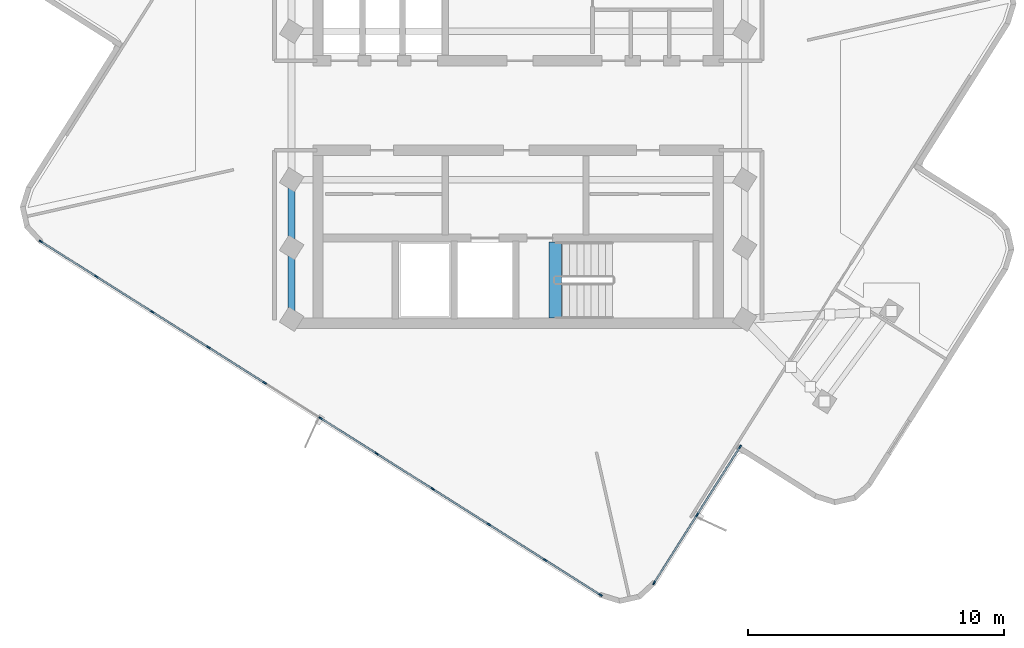
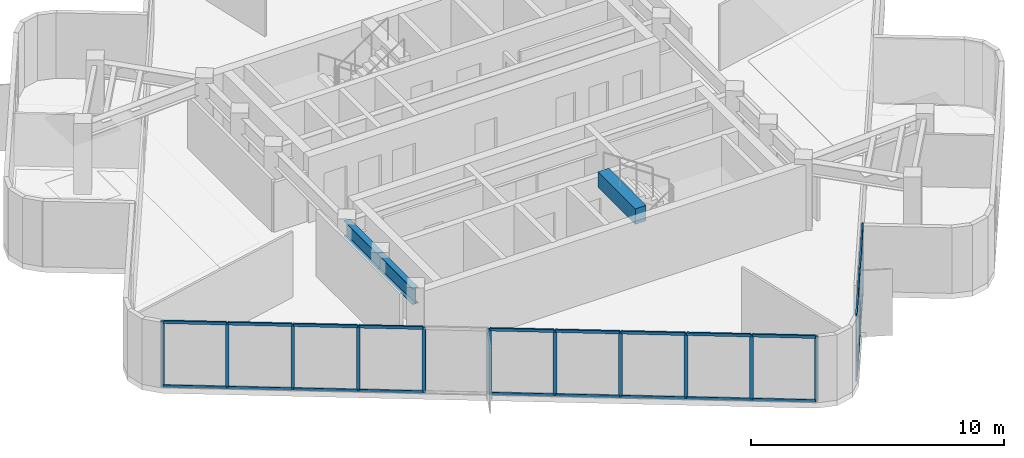
# One storey, part 2 of 8: 36 members, 3 beams, 2 elements without a shape of their own.
"""IFC4 building model written with IfcOpenShell, lengths in metres."""

from ifc_helpers import new_model, si_unit, direction, frame, origin, origin_2d, place, context, subcontext, project, spatial, rectangle, i_section, extrude, material, layer, layer_set, material_profile, profile_set, type_object, element, aggregate, save


model = new_model("IFC4")

# Units and contexts
model_context = context("Model", 3, precision=1e-05, world=origin(), true_north=direction((0.0, 1.0)))
body_context = subcontext(model_context, "Body", "Model", "MODEL_VIEW")
ifc_project = project(units=[si_unit("LENGTHUNIT", "METRE"), si_unit("AREAUNIT", "SQUARE_METRE"), si_unit("VOLUMEUNIT", "CUBIC_METRE"), si_unit("PLANEANGLEUNIT", "RADIAN"), si_unit("MASSUNIT", "GRAM", prefix="KILO")], contexts=[model_context])

# Site, building, storey
site_placement = place(None, origin())
site = spatial("IfcSite", under=ifc_project, at=site_placement, CompositionType="ELEMENT")
building_placement = place(site_placement, origin())
building = spatial("IfcBuilding", under=site, at=building_placement, Name="Solmarez Civic Tower", CompositionType="ELEMENT")
storey_placement = place(building_placement, frame((0.0, 0.0, 271.43994140625)))
storey = spatial("IfcBuildingStorey", under=building, at=storey_placement, Name="L73", CompositionType="ELEMENT", Elevation=271.43994140625)

# Beams
ifc_material_1 = material(Name="Concrete C50/60", Category="concrete")
ifc_material_profile_1 = material_profile(ifc_material_1, rectangle(XDim=0.5, YDim=0.75, at=origin_2d()), Name="RC500X750")
ifc_profile_set_1 = profile_set([ifc_material_profile_1], Name="Concrete C50/60")
beam_type_1 = type_object("IfcBeamType", Name="BM-PR-RC500X750", PredefinedType="BEAM", material=ifc_profile_set_1)
beam_1_placement = place(storey_placement, frame((1.449951171875, -8.300048828125, 3.052978515625), z_axis=(0.0, 1.0, 0.0), x_axis=(-1.0, 0.0, 0.0)))
element("IfcBeam", 1, at=beam_1_placement, inside=storey, type_object=beam_type_1, Name="L73 South Stair Threshold Beam", PredefinedType="BEAM", context=body_context, shape_type="SweptSolid", body=[
    extrude(rectangle(XDim=0.5, YDim=0.75, at=origin_2d()), origin(), (0.0, 0.0, 1.0), 2.9599609375),
])
ifc_material_2 = material(Name="Steel S355", Category="steel")
ifc_material_profile_2 = material_profile(ifc_material_2, i_section(OverallWidth=0.26708984375, OverallDepth=0.761962890625, WebThickness=0.014404296875, FlangeThickness=0.021484375, at=origin_2d()), Name="W30X116")
ifc_profile_set_2 = profile_set([ifc_material_profile_2], Name="Steel S355")
beam_type_2 = type_object("IfcBeamType", Name="BM-PR-W30X116", PredefinedType="BEAM", material=ifc_profile_set_2)
beam_2_placement = place(storey_placement, frame((-8.85009765625, -8.35009765625, 2.779052734375), z_axis=(0.0, 1.0, 0.0), x_axis=(-1.0, 0.0, 0.0)))
element("IfcBeam", 2, at=beam_2_placement, inside=storey, type_object=beam_type_2, Name="L73 Primary Floor Beam BM-L73-HC12-HC1", PredefinedType="BEAM", context=body_context, shape_type="SweptSolid", body=[
    extrude(i_section(OverallWidth=0.26708984375, OverallDepth=0.761962890625, WebThickness=0.014404296875, FlangeThickness=0.021484375, at=origin_2d()), origin(), (0.0, 0.0, 1.0), 2.800048828125),
])
beam_3_placement = place(storey_placement, frame((-8.85009765625, -5.550048828125, 2.779052734375), z_axis=(0.0, 1.0, 0.0), x_axis=(-1.0, 0.0, 0.0)))
element("IfcBeam", 3, at=beam_3_placement, inside=storey, type_object=beam_type_2, Name="L73 Primary Floor Beam BM-L73-HC1-HC2", PredefinedType="BEAM", context=body_context, shape_type="SweptSolid", body=[
    extrude(i_section(OverallWidth=0.26708984375, OverallDepth=0.761962890625, WebThickness=0.014404296875, FlangeThickness=0.021484375, at=origin_2d()), origin(), (0.0, 0.0, 1.0), 2.650146484375),
])

# Curtain wall, members
ifc_material_3 = material(Name="Bronze Anodised Aluminium EN AW-6063 T6", Category="aluminium")
ifc_layer = layer(ifc_material_3, 0.1650390625)
ifc_layer_set = layer_set([ifc_layer], Name="Bronze Anodised Aluminium EN AW-6063 T6")
curtain_wall_type = type_object("IfcCurtainWallType", Name="CW-SYS-4", PredefinedType="NOTDEFINED", material=ifc_layer_set)
curtain_wall_1_placement = place(storey_placement, origin())
curtain_wall_1 = element("IfcCurtainWall", 4, at=curtain_wall_1_placement, inside=storey, type_object=curtain_wall_type, Name="L73 Stick-Built Curtain Wall 1", PredefinedType="NOTDEFINED")
ifc_material_profile_3 = material_profile(ifc_material_3, rectangle(XDim=0.06005859375, YDim=0.14990234375, at=origin_2d()), Name="CWM-60X150")
ifc_profile_set_3 = profile_set([ifc_material_profile_3], Name="Bronze Anodised Aluminium EN AW-6063 T6")
member_type_1 = type_object("IfcMemberType", Name="CWM-TYPE-4", PredefinedType="MULLION", material=ifc_profile_set_3)
member_1_placement = place(storey_placement, frame((8.6650390625, -13.33935546875, 0.0), z_axis=(0.0, 0.0, 1.0), x_axis=(0.845526371515, -0.533933661678, 0.0)))
member_1 = element("IfcMember", 5, at=member_1_placement, type_object=member_type_1, Name="CWS4 mullion 1", PredefinedType="MULLION", context=body_context, shape_type="SweptSolid", body=[
    extrude(rectangle(XDim=0.06005859375, YDim=0.14990234375, at=origin_2d()), origin(), (0.0, 0.0, 1.0), 3.16015625),
])
member_2_placement = place(storey_placement, frame((6.988037109375, -15.9951171875, 0.0), z_axis=(0.0, 0.0, 1.0), x_axis=(0.845526371515, -0.533933661678, 0.0)))
member_2 = element("IfcMember", 6, at=member_2_placement, type_object=member_type_1, Name="CWS4 mullion 2", PredefinedType="MULLION", context=body_context, shape_type="SweptSolid", body=[
    extrude(rectangle(XDim=0.06005859375, YDim=0.14990234375, at=origin_2d()), origin(), (0.0, 0.0, 1.0), 3.16015625),
])
member_3_placement = place(storey_placement, frame((5.31103515625, -18.650634765625, 0.0), z_axis=(0.0, 0.0, 1.0), x_axis=(0.845526371515, -0.533933661678, 0.0)))
member_3 = element("IfcMember", 7, at=member_3_placement, type_object=member_type_1, Name="CWS4 mullion 3", PredefinedType="MULLION", context=body_context, shape_type="SweptSolid", body=[
    extrude(rectangle(XDim=0.06005859375, YDim=0.14990234375, at=origin_2d()), origin(), (0.0, 0.0, 1.0), 3.16015625),
])

curtain_wall_2_placement = place(storey_placement, origin())
curtain_wall_2 = element("IfcCurtainWall", 8, at=curtain_wall_2_placement, inside=storey, type_object=curtain_wall_type, Name="L73 Stick-Built Curtain Wall 2", PredefinedType="NOTDEFINED")
member_4_placement = place(storey_placement, frame((3.215576171875, -19.123046875, 0.0), z_axis=(0.0, 0.0, 1.0), x_axis=(-0.53403943397, -0.845459569089, 0.0)))
member_4 = element("IfcMember", 9, at=member_4_placement, type_object=member_type_1, Name="CWS4 mullion 1", PredefinedType="MULLION", context=body_context, shape_type="SweptSolid", body=[
    extrude(rectangle(XDim=0.06005859375, YDim=0.14990234375, at=origin_2d()), origin(), (0.0, 0.0, 1.0), 3.16015625),
])
member_5_placement = place(storey_placement, frame((1.04931640625, -17.754638671875, 0.0), z_axis=(0.0, 0.0, 1.0), x_axis=(-0.53403943397, -0.845459569089, 0.0)))
member_5 = element("IfcMember", 10, at=member_5_placement, type_object=member_type_1, Name="CWS4 mullion 2", PredefinedType="MULLION", context=body_context, shape_type="SweptSolid", body=[
    extrude(rectangle(XDim=0.06005859375, YDim=0.14990234375, at=origin_2d()), origin(), (0.0, 0.0, 1.0), 3.16015625),
])
member_6_placement = place(storey_placement, frame((-1.142333984375, -16.3701171875, 0.0), z_axis=(0.0, 0.0, 1.0), x_axis=(-0.53403943397, -0.845459569089, 0.0)))
member_6 = element("IfcMember", 11, at=member_6_placement, type_object=member_type_1, Name="CWS4 mullion 3", PredefinedType="MULLION", context=body_context, shape_type="SweptSolid", body=[
    extrude(rectangle(XDim=0.06005859375, YDim=0.14990234375, at=origin_2d()), origin(), (0.0, 0.0, 1.0), 3.16015625),
])
member_7_placement = place(storey_placement, frame((-3.333984375, -14.98583984375, 0.0), z_axis=(0.0, 0.0, 1.0), x_axis=(-0.53403943397, -0.845459569089, 0.0)))
member_7 = element("IfcMember", 12, at=member_7_placement, type_object=member_type_1, Name="CWS4 mullion 4", PredefinedType="MULLION", context=body_context, shape_type="SweptSolid", body=[
    extrude(rectangle(XDim=0.06005859375, YDim=0.14990234375, at=origin_2d()), origin(), (0.0, 0.0, 1.0), 3.16015625),
])
member_8_placement = place(storey_placement, frame((-5.52587890625, -13.601318359375, 0.0), z_axis=(0.0, 0.0, 1.0), x_axis=(-0.53403943397, -0.845459569089, 0.0)))
member_8 = element("IfcMember", 13, at=member_8_placement, type_object=member_type_1, Name="CWS4 mullion 5", PredefinedType="MULLION", context=body_context, shape_type="SweptSolid", body=[
    extrude(rectangle(XDim=0.06005859375, YDim=0.14990234375, at=origin_2d()), origin(), (0.0, 0.0, 1.0), 3.16015625),
])
member_9_placement = place(storey_placement, frame((-7.717529296875, -12.217041015625, 0.0), z_axis=(0.0, 0.0, 1.0), x_axis=(-0.53403943397, -0.845459569089, 0.0)))
member_9 = element("IfcMember", 14, at=member_9_placement, type_object=member_type_1, Name="CWS4 mullion 6", PredefinedType="MULLION", context=body_context, shape_type="SweptSolid", body=[
    extrude(rectangle(XDim=0.06005859375, YDim=0.14990234375, at=origin_2d()), origin(), (0.0, 0.0, 1.0), 3.16015625),
])
member_10_placement = place(storey_placement, frame((-9.9091796875, -10.83251953125, 0.0), z_axis=(0.0, 0.0, 1.0), x_axis=(-0.53403943397, -0.845459569089, 0.0)))
member_10 = element("IfcMember", 15, at=member_10_placement, type_object=member_type_1, Name="CWS4 mullion 7", PredefinedType="MULLION", context=body_context, shape_type="SweptSolid", body=[
    extrude(rectangle(XDim=0.06005859375, YDim=0.14990234375, at=origin_2d()), origin(), (0.0, 0.0, 1.0), 3.16015625),
])
member_11_placement = place(storey_placement, frame((-12.100830078125, -9.4482421875, 0.0), z_axis=(0.0, 0.0, 1.0), x_axis=(-0.53403943397, -0.845459569089, 0.0)))
member_11 = element("IfcMember", 16, at=member_11_placement, type_object=member_type_1, Name="CWS4 mullion 8", PredefinedType="MULLION", context=body_context, shape_type="SweptSolid", body=[
    extrude(rectangle(XDim=0.06005859375, YDim=0.14990234375, at=origin_2d()), origin(), (0.0, 0.0, 1.0), 3.16015625),
])
member_12_placement = place(storey_placement, frame((-14.29248046875, -8.063720703125, 0.0), z_axis=(0.0, 0.0, 1.0), x_axis=(-0.53403943397, -0.845459569089, 0.0)))
member_12 = element("IfcMember", 17, at=member_12_placement, type_object=member_type_1, Name="CWS4 mullion 9", PredefinedType="MULLION", context=body_context, shape_type="SweptSolid", body=[
    extrude(rectangle(XDim=0.06005859375, YDim=0.14990234375, at=origin_2d()), origin(), (0.0, 0.0, 1.0), 3.16015625),
])
member_13_placement = place(storey_placement, frame((-16.484375, -6.679443359375, 0.0), z_axis=(0.0, 0.0, 1.0), x_axis=(-0.53403943397, -0.845459569089, 0.0)))
member_13 = element("IfcMember", 18, at=member_13_placement, type_object=member_type_1, Name="CWS4 mullion 10", PredefinedType="MULLION", context=body_context, shape_type="SweptSolid", body=[
    extrude(rectangle(XDim=0.06005859375, YDim=0.14990234375, at=origin_2d()), origin(), (0.0, 0.0, 1.0), 3.16015625),
])
member_14_placement = place(storey_placement, frame((-18.650634765625, -5.31103515625, 0.0), z_axis=(0.0, 0.0, 1.0), x_axis=(-0.53403943397, -0.845459569089, 0.0)))
member_14 = element("IfcMember", 19, at=member_14_placement, type_object=member_type_1, Name="CWS4 mullion 11", PredefinedType="MULLION", context=body_context, shape_type="SweptSolid", body=[
    extrude(rectangle(XDim=0.06005859375, YDim=0.14990234375, at=origin_2d()), origin(), (0.0, 0.0, 1.0), 3.16015625),
])

# Member
ifc_material_profile_4 = material_profile(ifc_material_3, rectangle(XDim=0.070068359375, YDim=0.139892578125, at=origin_2d()), Name="CWT-70X140")
ifc_profile_set_4 = profile_set([ifc_material_profile_4], Name="Bronze Anodised Aluminium EN AW-6063 T6")
member_type_2 = type_object("IfcMemberType", Name="CWT-TYPE-1", PredefinedType="USERDEFINED", material=ifc_profile_set_4)
member_15_placement = place(storey_placement, frame((8.64892578125, -13.36474609375, 0.03515625), z_axis=(-0.533939324757, -0.845522795363, 0.0), x_axis=(0.845522795363, -0.533939324757, 0.0)))
member_15 = element("IfcMember", 20, at=member_15_placement, type_object=member_type_2, Name="CWS4 transom 1.1", ObjectType="TRANSOM", PredefinedType="USERDEFINED", context=body_context, shape_type="SweptSolid", body=[
    extrude(rectangle(XDim=0.070068359375, YDim=0.139892578125, at=origin_2d()), origin(), (0.0, 0.0, 1.0), 3.080810546875),
])

member_16_placement = place(storey_placement, frame((8.64892578125, -13.36474609375, 3.125), z_axis=(-0.533939324757, -0.845522795363, 0.0), x_axis=(0.845522795363, -0.533939324757, 0.0)))
member_16 = element("IfcMember", 21, at=member_16_placement, type_object=member_type_2, Name="CWS4 transom 1.2", ObjectType="TRANSOM", PredefinedType="USERDEFINED", context=body_context, shape_type="SweptSolid", body=[
    extrude(rectangle(XDim=0.070068359375, YDim=0.139892578125, at=origin_2d()), origin(), (0.0, 0.0, 1.0), 3.080810546875),
])

member_17_placement = place(storey_placement, frame((6.971923828125, -16.020263671875, 0.03515625), z_axis=(-0.533882669644, -0.845558569854, 0.0), x_axis=(0.845558569854, -0.533882669644, 0.0)))
member_17 = element("IfcMember", 22, at=member_17_placement, type_object=member_type_2, Name="CWS4 transom 2.1", ObjectType="TRANSOM", PredefinedType="USERDEFINED", context=body_context, shape_type="SweptSolid", body=[
    extrude(rectangle(XDim=0.070068359375, YDim=0.139892578125, at=origin_2d()), origin(), (0.0, 0.0, 1.0), 3.080810546875),
])

member_18_placement = place(storey_placement, frame((6.971923828125, -16.020263671875, 3.125), z_axis=(-0.533882669644, -0.845558569854, 0.0), x_axis=(0.845558569854, -0.533882669644, 0.0)))
member_18 = element("IfcMember", 23, at=member_18_placement, type_object=member_type_2, Name="CWS4 transom 2.2", ObjectType="TRANSOM", PredefinedType="USERDEFINED", context=body_context, shape_type="SweptSolid", body=[
    extrude(rectangle(XDim=0.070068359375, YDim=0.139892578125, at=origin_2d()), origin(), (0.0, 0.0, 1.0), 3.080810546875),
])

aggregate(curtain_wall_1, [member_1, member_2, member_3, member_15, member_16, member_17, member_18])

member_19_placement = place(storey_placement, frame((3.190185546875, -19.10693359375, 0.03515625), z_axis=(-0.845428617873, 0.534088430956, 0.0), x_axis=(-0.534088430956, -0.845428617873, 0.0)))
member_19 = element("IfcMember", 24, at=member_19_placement, type_object=member_type_2, Name="CWS4 transom 1.1", ObjectType="TRANSOM", PredefinedType="USERDEFINED", context=body_context, shape_type="SweptSolid", body=[
    extrude(rectangle(XDim=0.070068359375, YDim=0.139892578125, at=origin_2d()), origin(), (0.0, 0.0, 1.0), 2.502197265625),
])

member_20_placement = place(storey_placement, frame((3.190185546875, -19.10693359375, 3.125), z_axis=(-0.845428617873, 0.534088430956, 0.0), x_axis=(-0.534088430956, -0.845428617873, 0.0)))
member_20 = element("IfcMember", 25, at=member_20_placement, type_object=member_type_2, Name="CWS4 transom 1.2", ObjectType="TRANSOM", PredefinedType="USERDEFINED", context=body_context, shape_type="SweptSolid", body=[
    extrude(rectangle(XDim=0.070068359375, YDim=0.139892578125, at=origin_2d()), origin(), (0.0, 0.0, 1.0), 2.502197265625),
])

member_21_placement = place(storey_placement, frame((1.02392578125, -17.738525390625, 0.03515625), z_axis=(-0.845459118214, 0.534040147769, 0.0), x_axis=(-0.534040147769, -0.845459118214, 0.0)))
member_21 = element("IfcMember", 26, at=member_21_placement, type_object=member_type_2, Name="CWS4 transom 2.1", ObjectType="TRANSOM", PredefinedType="USERDEFINED", context=body_context, shape_type="SweptSolid", body=[
    extrude(rectangle(XDim=0.070068359375, YDim=0.139892578125, at=origin_2d()), origin(), (0.0, 0.0, 1.0), 2.5322265625),
])

member_22_placement = place(storey_placement, frame((1.02392578125, -17.738525390625, 3.125), z_axis=(-0.845459118214, 0.534040147769, 0.0), x_axis=(-0.534040147769, -0.845459118214, 0.0)))
member_22 = element("IfcMember", 27, at=member_22_placement, type_object=member_type_2, Name="CWS4 transom 2.2", ObjectType="TRANSOM", PredefinedType="USERDEFINED", context=body_context, shape_type="SweptSolid", body=[
    extrude(rectangle(XDim=0.070068359375, YDim=0.139892578125, at=origin_2d()), origin(), (0.0, 0.0, 1.0), 2.5322265625),
])

member_23_placement = place(storey_placement, frame((-1.167724609375, -16.354248046875, 0.03515625), z_axis=(-0.84544308524, 0.534065529331, 0.0), x_axis=(-0.534065529331, -0.84544308524, 0.0)))
member_23 = element("IfcMember", 28, at=member_23_placement, type_object=member_type_2, Name="CWS4 transom 3.1", ObjectType="TRANSOM", PredefinedType="USERDEFINED", context=body_context, shape_type="SweptSolid", body=[
    extrude(rectangle(XDim=0.070068359375, YDim=0.139892578125, at=origin_2d()), origin(), (0.0, 0.0, 1.0), 2.532470703125),
])

member_24_placement = place(storey_placement, frame((-1.167724609375, -16.354248046875, 3.125), z_axis=(-0.84544308524, 0.534065529331, 0.0), x_axis=(-0.534065529331, -0.84544308524, 0.0)))
member_24 = element("IfcMember", 29, at=member_24_placement, type_object=member_type_2, Name="CWS4 transom 3.2", ObjectType="TRANSOM", PredefinedType="USERDEFINED", context=body_context, shape_type="SweptSolid", body=[
    extrude(rectangle(XDim=0.070068359375, YDim=0.139892578125, at=origin_2d()), origin(), (0.0, 0.0, 1.0), 2.532470703125),
])

member_25_placement = place(storey_placement, frame((-3.359375, -14.9697265625, 0.03515625), z_axis=(-0.845486612171, 0.533996618565, 0.0), x_axis=(-0.533996618565, -0.845486612171, 0.0)))
member_25 = element("IfcMember", 30, at=member_25_placement, type_object=member_type_2, Name="CWS4 transom 4.1", ObjectType="TRANSOM", PredefinedType="USERDEFINED", context=body_context, shape_type="SweptSolid", body=[
    extrude(rectangle(XDim=0.070068359375, YDim=0.139892578125, at=origin_2d()), origin(), (0.0, 0.0, 1.0), 2.532470703125),
])

member_26_placement = place(storey_placement, frame((-3.359375, -14.9697265625, 3.125), z_axis=(-0.845486612171, 0.533996618565, 0.0), x_axis=(-0.533996618565, -0.845486612171, 0.0)))
member_26 = element("IfcMember", 31, at=member_26_placement, type_object=member_type_2, Name="CWS4 transom 4.2", ObjectType="TRANSOM", PredefinedType="USERDEFINED", context=body_context, shape_type="SweptSolid", body=[
    extrude(rectangle(XDim=0.070068359375, YDim=0.139892578125, at=origin_2d()), origin(), (0.0, 0.0, 1.0), 2.532470703125),
])

member_27_placement = place(storey_placement, frame((-5.55126953125, -13.58544921875, 0.03515625), z_axis=(-0.845415585602, 0.534109059669, 0.0), x_axis=(-0.534109059669, -0.845415585602, 0.0)))
member_27 = element("IfcMember", 32, at=member_27_placement, type_object=member_type_2, Name="CWS4 transom 5.1", ObjectType="TRANSOM", PredefinedType="USERDEFINED", context=body_context, shape_type="SweptSolid", body=[
    extrude(rectangle(XDim=0.070068359375, YDim=0.139892578125, at=origin_2d()), origin(), (0.0, 0.0, 1.0), 2.5322265625),
])

member_28_placement = place(storey_placement, frame((-5.55126953125, -13.58544921875, 3.125), z_axis=(-0.845415585602, 0.534109059669, 0.0), x_axis=(-0.534109059669, -0.845415585602, 0.0)))
member_28 = element("IfcMember", 33, at=member_28_placement, type_object=member_type_2, Name="CWS4 transom 5.2", ObjectType="TRANSOM", PredefinedType="USERDEFINED", context=body_context, shape_type="SweptSolid", body=[
    extrude(rectangle(XDim=0.070068359375, YDim=0.139892578125, at=origin_2d()), origin(), (0.0, 0.0, 1.0), 2.5322265625),
])

member_29_placement = place(storey_placement, frame((-9.9345703125, -10.816650390625, 0.03515625), z_axis=(-0.845415585602, 0.534109059669, 0.0), x_axis=(-0.534109059669, -0.845415585602, 0.0)))
member_29 = element("IfcMember", 34, at=member_29_placement, type_object=member_type_2, Name="CWS4 transom 7.1", ObjectType="TRANSOM", PredefinedType="USERDEFINED", context=body_context, shape_type="SweptSolid", body=[
    extrude(rectangle(XDim=0.070068359375, YDim=0.139892578125, at=origin_2d()), origin(), (0.0, 0.0, 1.0), 2.5322265625),
])

member_30_placement = place(storey_placement, frame((-9.9345703125, -10.816650390625, 3.125), z_axis=(-0.845415585602, 0.534109059669, 0.0), x_axis=(-0.534109059669, -0.845415585602, 0.0)))
member_30 = element("IfcMember", 35, at=member_30_placement, type_object=member_type_2, Name="CWS4 transom 7.2", ObjectType="TRANSOM", PredefinedType="USERDEFINED", context=body_context, shape_type="SweptSolid", body=[
    extrude(rectangle(XDim=0.070068359375, YDim=0.139892578125, at=origin_2d()), origin(), (0.0, 0.0, 1.0), 2.5322265625),
])

member_31_placement = place(storey_placement, frame((-12.126220703125, -9.43212890625, 0.03515625), z_axis=(-0.845486612171, 0.533996618565, 0.0), x_axis=(-0.533996618565, -0.845486612171, 0.0)))
member_31 = element("IfcMember", 36, at=member_31_placement, type_object=member_type_2, Name="CWS4 transom 8.1", ObjectType="TRANSOM", PredefinedType="USERDEFINED", context=body_context, shape_type="SweptSolid", body=[
    extrude(rectangle(XDim=0.070068359375, YDim=0.139892578125, at=origin_2d()), origin(), (0.0, 0.0, 1.0), 2.532470703125),
])

member_32_placement = place(storey_placement, frame((-12.126220703125, -9.43212890625, 3.125), z_axis=(-0.845486612171, 0.533996618565, 0.0), x_axis=(-0.533996618565, -0.845486612171, 0.0)))
member_32 = element("IfcMember", 37, at=member_32_placement, type_object=member_type_2, Name="CWS4 transom 8.2", ObjectType="TRANSOM", PredefinedType="USERDEFINED", context=body_context, shape_type="SweptSolid", body=[
    extrude(rectangle(XDim=0.070068359375, YDim=0.139892578125, at=origin_2d()), origin(), (0.0, 0.0, 1.0), 2.532470703125),
])

member_33_placement = place(storey_placement, frame((-14.31787109375, -8.0478515625, 0.03515625), z_axis=(-0.84544308524, 0.534065529331, 0.0), x_axis=(-0.534065529331, -0.84544308524, 0.0)))
member_33 = element("IfcMember", 38, at=member_33_placement, type_object=member_type_2, Name="CWS4 transom 9.1", ObjectType="TRANSOM", PredefinedType="USERDEFINED", context=body_context, shape_type="SweptSolid", body=[
    extrude(rectangle(XDim=0.070068359375, YDim=0.139892578125, at=origin_2d()), origin(), (0.0, 0.0, 1.0), 2.532470703125),
])

member_34_placement = place(storey_placement, frame((-14.31787109375, -8.0478515625, 3.125), z_axis=(-0.84544308524, 0.534065529331, 0.0), x_axis=(-0.534065529331, -0.84544308524, 0.0)))
member_34 = element("IfcMember", 39, at=member_34_placement, type_object=member_type_2, Name="CWS4 transom 9.2", ObjectType="TRANSOM", PredefinedType="USERDEFINED", context=body_context, shape_type="SweptSolid", body=[
    extrude(rectangle(XDim=0.070068359375, YDim=0.139892578125, at=origin_2d()), origin(), (0.0, 0.0, 1.0), 2.532470703125),
])

member_35_placement = place(storey_placement, frame((-16.509765625, -6.663330078125, 0.03515625), z_axis=(-0.845472672626, 0.534018688665, 0.0), x_axis=(-0.534018688665, -0.845472672626, 0.0)))
member_35 = element("IfcMember", 40, at=member_35_placement, type_object=member_type_2, Name="CWS4 transom 10.1", ObjectType="TRANSOM", PredefinedType="USERDEFINED", context=body_context, shape_type="SweptSolid", body=[
    extrude(rectangle(XDim=0.070068359375, YDim=0.139892578125, at=origin_2d()), origin(), (0.0, 0.0, 1.0), 2.502197265625),
])

member_36_placement = place(storey_placement, frame((-16.509765625, -6.663330078125, 3.125), z_axis=(-0.845472672626, 0.534018688665, 0.0), x_axis=(-0.534018688665, -0.845472672626, 0.0)))
member_36 = element("IfcMember", 41, at=member_36_placement, type_object=member_type_2, Name="CWS4 transom 10.2", ObjectType="TRANSOM", PredefinedType="USERDEFINED", context=body_context, shape_type="SweptSolid", body=[
    extrude(rectangle(XDim=0.070068359375, YDim=0.139892578125, at=origin_2d()), origin(), (0.0, 0.0, 1.0), 2.502197265625),
])

aggregate(curtain_wall_2, [member_4, member_5, member_6, member_7, member_8, member_9, member_10, member_11, member_12, member_13, member_14, member_19, member_20, member_21, member_22, member_23, member_24, member_25, member_26, member_27, member_28, member_29, member_30, member_31, member_32, member_33, member_34, member_35, member_36])

save(model, "model.ifc")
